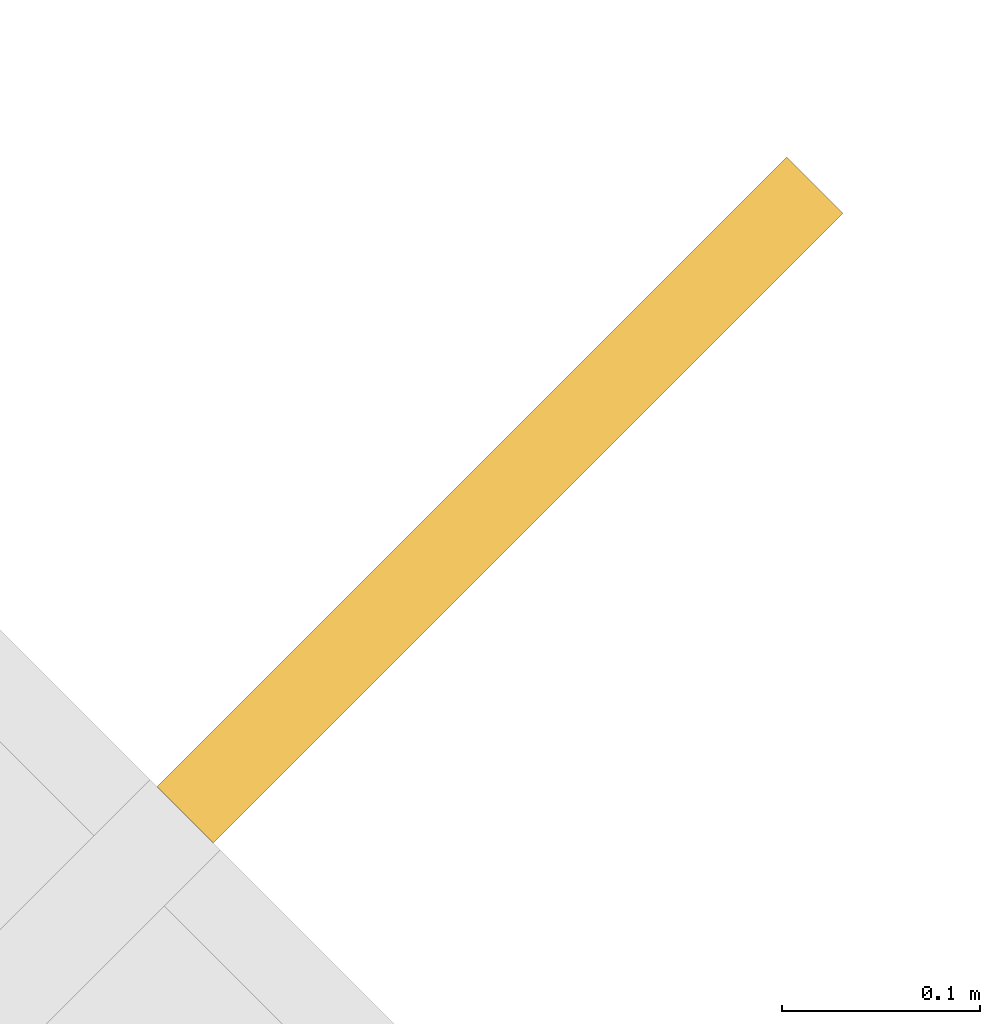
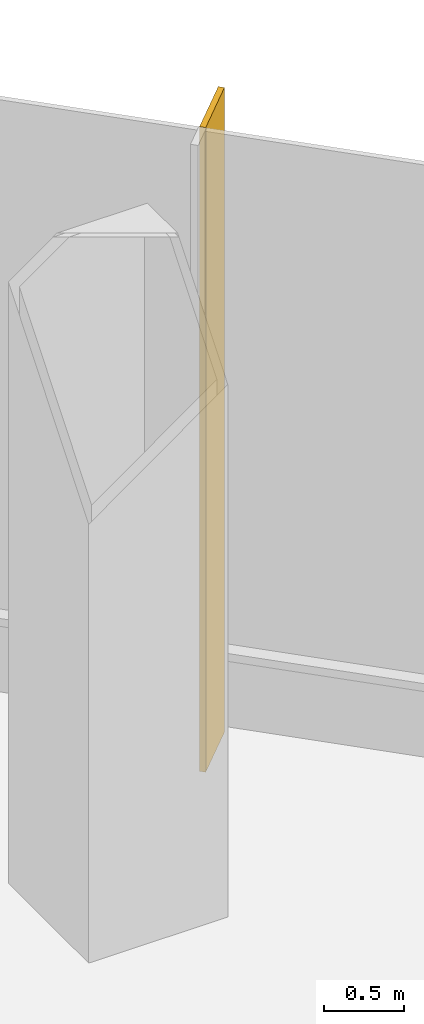
# One storey, part 33 of 34: 1 shading device.
"""IFC4 building model written with IfcOpenShell, lengths in metres."""

import ifcopenshell
import ifcopenshell.guid

model = None  # the IFC model being written
_history = None  # IfcOwnerHistory: only IFC2X3 demands one
_inside = {}  # id of a spatial element -> (the spatial element, [elements in it])
_under = {}  # id of a project, library or spatial element -> (it, [spatial elements below it])
_declared = {}  # id of a project -> (the project, [libraries it declares])
_typed = {}  # id of a type object -> (the type object, [elements of that type])
_made_of = {}  # id of a material, layer set ... -> (it, [elements and type objects made of it])


def new_model(schema):
    """Start an empty IFC model of exactly this schema.

    Asked for "IFC4X3", IfcOpenShell would pick the latest addendum, in which some entities
    have other attributes; the version numbers below select the first issue.
    IFC2X3 requires an IfcOwnerHistory on every rooted entity: one is made here for all.
    """
    global model, _history
    if schema == "IFC4X3":
        model = ifcopenshell.file(schema_version=(4, 3, 0, 0))
    else:
        model = ifcopenshell.file(schema=schema)
    _inside.clear()
    _under.clear()
    _declared.clear()
    _typed.clear()
    _made_of.clear()
    _history = None
    if model.schema == "IFC2X3":
        org = make("IfcOrganization", Name="unknown")
        user = make(
            "IfcPersonAndOrganization",
            ThePerson=make("IfcPerson", FamilyName="unknown"),
            TheOrganization=org,
        )
        app = make(
            "IfcApplication",
            ApplicationDeveloper=org,
            Version="unknown",
            ApplicationFullName="unknown",
            ApplicationIdentifier="unknown",
        )
        _history = make(
            "IfcOwnerHistory",
            OwningUser=user,
            OwningApplication=app,
            ChangeAction="ADDED",
            CreationDate=0,
        )
    return model


def make(cls, **values):
    """One entity of the class cls with the attributes given. An attribute that is None is left unset."""
    return model.create_entity(
        cls, **{name: value for name, value in values.items() if value is not None}
    )


def rooted(cls, **values):
    """An entity with a GlobalId (a new one), such as an element, a storey or a relation."""
    return make(cls, GlobalId=ifcopenshell.guid.new(), OwnerHistory=_history, **values)


def si_unit(unit_type, name, prefix=None):
    """IfcSIUnit, for example si_unit("LENGTHUNIT", "METRE", prefix="MILLI")."""
    return make("IfcSIUnit", UnitType=unit_type, Prefix=prefix, Name=name)


def assignment(units):
    """IfcUnitAssignment: the units of a project."""
    return None if units is None else make("IfcUnitAssignment", Units=units)


def point(xyz):
    """IfcCartesianPoint."""
    return None if xyz is None else make("IfcCartesianPoint", Coordinates=xyz)


def direction(xyz):
    """IfcDirection."""
    return None if xyz is None else make("IfcDirection", DirectionRatios=xyz)


def frame(location, z_axis=None, x_axis=None):
    """IfcAxis2Placement3D, a coordinate frame: its origin and axes. An axis left out is left unset."""
    return make(
        "IfcAxis2Placement3D",
        Location=point(location),
        Axis=direction(z_axis),
        RefDirection=direction(x_axis),
    )


def frame_2d(location, x_axis=None):
    """IfcAxis2Placement2D, a coordinate frame in the plane: its origin and x axis."""
    return make(
        "IfcAxis2Placement2D", Location=point(location), RefDirection=direction(x_axis)
    )


def origin():
    """The frame at (0, 0, 0) with its axes left unset."""
    return frame((0.0, 0.0, 0.0))


def origin_2d():
    """The frame at (0, 0) in the plane with its x axis left unset."""
    return frame_2d((0.0, 0.0))


def place(relative_to, where):
    """IfcLocalPlacement: puts the frame where relative to a parent placement (None: the world)."""
    return make(
        "IfcLocalPlacement", PlacementRelTo=relative_to, RelativePlacement=where
    )


def context(
    kind, dimensions, precision=None, world=None, true_north=None, identifier=None
):
    """IfcGeometricRepresentationContext, for example the 3D "Model" context."""
    return make(
        "IfcGeometricRepresentationContext",
        ContextIdentifier=identifier,
        ContextType=kind,
        CoordinateSpaceDimension=dimensions,
        Precision=precision,
        WorldCoordinateSystem=world,
        TrueNorth=true_north,
    )


def subcontext(parent, identifier, kind, view, scale=None):
    """IfcGeometricRepresentationSubContext, for example "Body" below "Model"."""
    return make(
        "IfcGeometricRepresentationSubContext",
        ContextIdentifier=identifier,
        ContextType=kind,
        ParentContext=parent,
        TargetScale=scale,
        TargetView=view,
    )


def project(units=None, contexts=None):
    """IfcProject with its units and contexts."""
    return rooted(
        "IfcProject",
        Name="project",
        RepresentationContexts=contexts,
        UnitsInContext=assignment(units),
    )


def spatial(cls, under=None, at=None, **own):
    """A site, building, storey or space (cls), placed at a placement, below another one or the project."""
    s = rooted(cls, ObjectPlacement=at, **own)
    if under is not None:
        _under.setdefault(under.id(), (under, []))[1].append(s)
    return s


def profile(cls, at=None, kind="AREA", **sizes):
    """A parametric profile (cls). Its sizes go by their IFC names, for example OverallWidth=200.0."""
    return make(cls, ProfileType=kind, Position=at, **sizes)


def rectangle(**sizes):
    """IfcRectangleProfileDef."""
    return profile("IfcRectangleProfileDef", **sizes)


def extrude(swept, where, along, depth):
    """IfcExtrudedAreaSolid: the profile swept, set in the frame where, extruded along a direction by depth."""
    return make(
        "IfcExtrudedAreaSolid",
        SweptArea=swept,
        Position=where,
        ExtrudedDirection=direction(along),
        Depth=depth,
    )


def shape(context_of_items, identifier, shape_type, items):
    """IfcShapeRepresentation: the items that make up one representation, for example the "Body"."""
    return make(
        "IfcShapeRepresentation",
        ContextOfItems=context_of_items,
        RepresentationIdentifier=identifier,
        RepresentationType=shape_type,
        Items=items,
    )


def material(Name=None, Category=None):
    """IfcMaterial."""
    return make("IfcMaterial", Name=Name, Category=Category)


def material_profile(
    of_material, cross_section, Name=None, Category=None, Priority=None
):
    """IfcMaterialProfile: a cross section and its material."""
    return make(
        "IfcMaterialProfile",
        Name=Name,
        Material=of_material,
        Profile=cross_section,
        Priority=Priority,
        Category=Category,
    )


def profile_set(profiles, Name=None, composite=None):
    """IfcMaterialProfileSet."""
    return make(
        "IfcMaterialProfileSet",
        Name=Name,
        MaterialProfiles=profiles,
        CompositeProfile=composite,
    )


def made_of(thing, what):
    """Note that an element or type object is made of a material, layer set ...; save() writes the relation."""
    if what is not None:
        _made_of.setdefault(what.id(), (what, []))[1].append(thing)
    return thing


def type_object(cls, material=None, **own):
    """A type object (cls), such as IfcWallType, which elements share."""
    return made_of(rooted(cls, **own), material)


def element(
    cls,
    number,
    at=None,
    inside=None,
    cuts=None,
    type_object=None,
    material=None,
    context=None,
    identifier="Body",
    shape_type=None,
    held_by="IfcProductDefinitionShape",
    body=None,
    shapes=None,
    **own,
):
    """One element of the class cls, such as IfcWall. Its Tag is "e" and its number.

    at: its placement. inside: the storey or other place that contains it. cuts: it is an
    opening in that element (IfcRelVoidsElement). A single representation is given by context,
    identifier, shape_type and body (its items); several are given by shapes. held_by: the class
    of the entity that holds the representations. save() writes the other relations.
    """
    e = rooted(cls, Tag="e%d" % number, ObjectPlacement=at, **own)
    if body is not None:
        shapes = [shape(context, identifier, shape_type, body)]
    if shapes is not None:
        e.Representation = make(held_by, Representations=shapes)
    if inside is not None:
        _inside.setdefault(inside.id(), (inside, []))[1].append(e)
    if cuts is not None:
        rooted(
            "IfcRelVoidsElement", RelatingBuildingElement=cuts, RelatedOpeningElement=e
        )
    if type_object is not None:
        _typed.setdefault(type_object.id(), (type_object, []))[1].append(e)
    return made_of(e, material)


def aggregate(whole, parts):
    """IfcRelAggregates: a whole, such as a stair, and the parts it consists of."""
    return rooted("IfcRelAggregates", RelatingObject=whole, RelatedObjects=parts)


def save(model, path):
    """Write the relations noted so far, then the file.

    IfcRelAggregates (storeys below a building ...), IfcRelContainedInSpatialStructure (elements
    in a storey), IfcRelDefinesByType, IfcRelAssociatesMaterial and IfcRelDeclares: one each for
    every whole, place, type object, material and project.
    """
    for whole, parts in _under.values():
        aggregate(whole, parts)
    for where, things in _inside.values():
        rooted(
            "IfcRelContainedInSpatialStructure",
            RelatedElements=things,
            RelatingStructure=where,
        )
    for kind, things in _typed.values():
        rooted("IfcRelDefinesByType", RelatedObjects=things, RelatingType=kind)
    for what, things in _made_of.values():
        rooted("IfcRelAssociatesMaterial", RelatedObjects=things, RelatingMaterial=what)
    for by, libraries in _declared.values():
        rooted("IfcRelDeclares", RelatingContext=by, RelatedDefinitions=libraries)
    model.write(path)


model = new_model("IFC4")

# Units and contexts
model_context = context("Model", 3, precision=1e-05, world=origin(), true_north=direction((0.0, 1.0)))
body_context = subcontext(model_context, "Body", "Model", "MODEL_VIEW")
ifc_project = project(units=[si_unit("LENGTHUNIT", "METRE"), si_unit("AREAUNIT", "SQUARE_METRE"), si_unit("VOLUMEUNIT", "CUBIC_METRE"), si_unit("PLANEANGLEUNIT", "RADIAN"), si_unit("MASSUNIT", "GRAM", prefix="KILO")], contexts=[model_context])

# Site, building, storey
site_placement = place(None, origin())
site = spatial("IfcSite", under=ifc_project, at=site_placement, CompositionType="ELEMENT")
building_placement = place(site_placement, origin())
building = spatial("IfcBuilding", under=site, at=building_placement, Name="Sorahane Residences", CompositionType="ELEMENT")
storey_placement = place(building_placement, frame((0.0, 0.0, 39.60009765625)))
storey = spatial("IfcBuildingStorey", under=building, at=storey_placement, Name="L06", CompositionType="ELEMENT", Elevation=39.60009765625)

# Shading device
ifc_material = material(Name="Terracotta anodised aluminium", Category="masonry")
ifc_material_profile = material_profile(ifc_material, rectangle(XDim=0.449951171875, YDim=0.0400390625, at=origin_2d()), Name="Podium vertical fin terracotta anodised aluminium 450x40")
ifc_profile_set = profile_set([ifc_material_profile], Name="Terracotta anodised aluminium")
shading_device_type = type_object("IfcShadingDeviceType", Name="Podium vertical fin terracotta anodised aluminium 450x40", PredefinedType="USERDEFINED", material=ifc_profile_set)
shading_device_placement = place(storey_placement, frame((67.597412109375, 49.597412109375, -0.400146484375), z_axis=(0.0, 0.0, 1.0), x_axis=(0.707106781187, 0.707106781187, 0.0)))
element("IfcShadingDevice", 1, at=shading_device_placement, inside=storey, type_object=shading_device_type, Name="Podium vertical fin L06 NE1.1", ObjectType="Vertical fin", PredefinedType="USERDEFINED", context=body_context, shape_type="SweptSolid", body=[
    extrude(rectangle(XDim=0.449951171875, YDim=0.0400390625, at=origin_2d()), origin(), (0.0, 0.0, 1.0), 4.900146484375),
])

save(model, "model.ifc")
